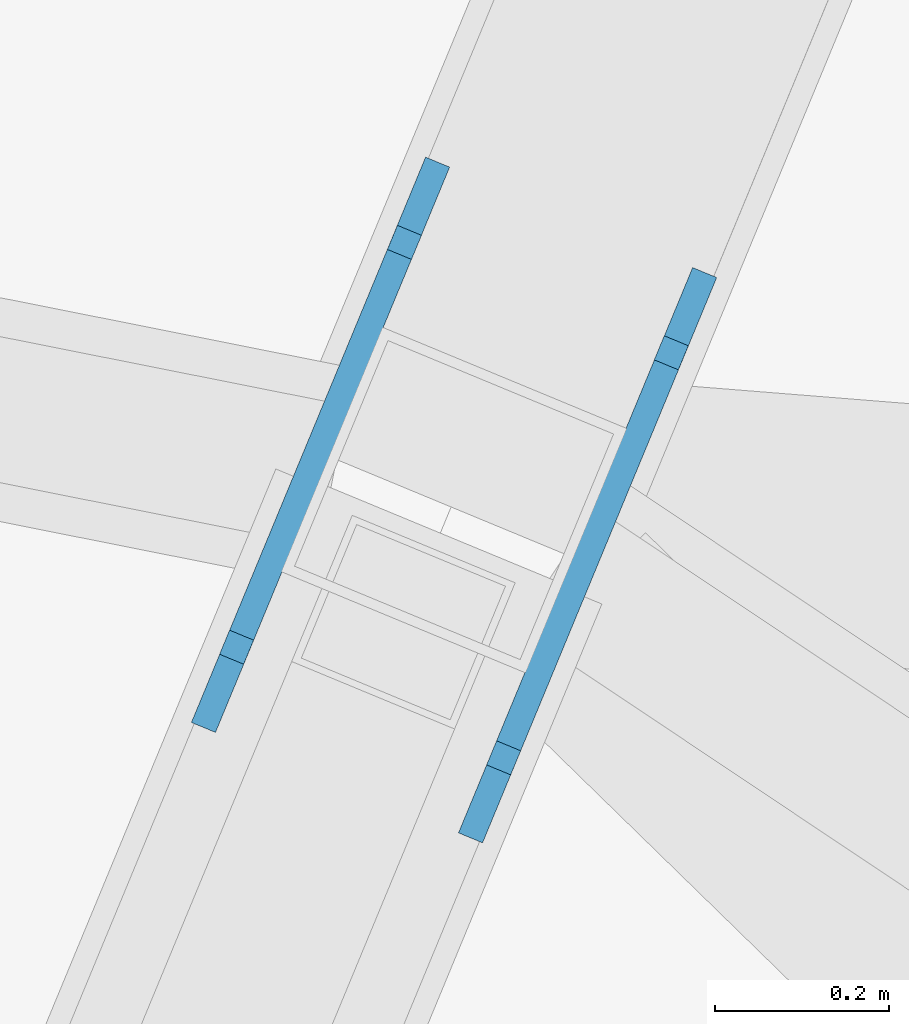
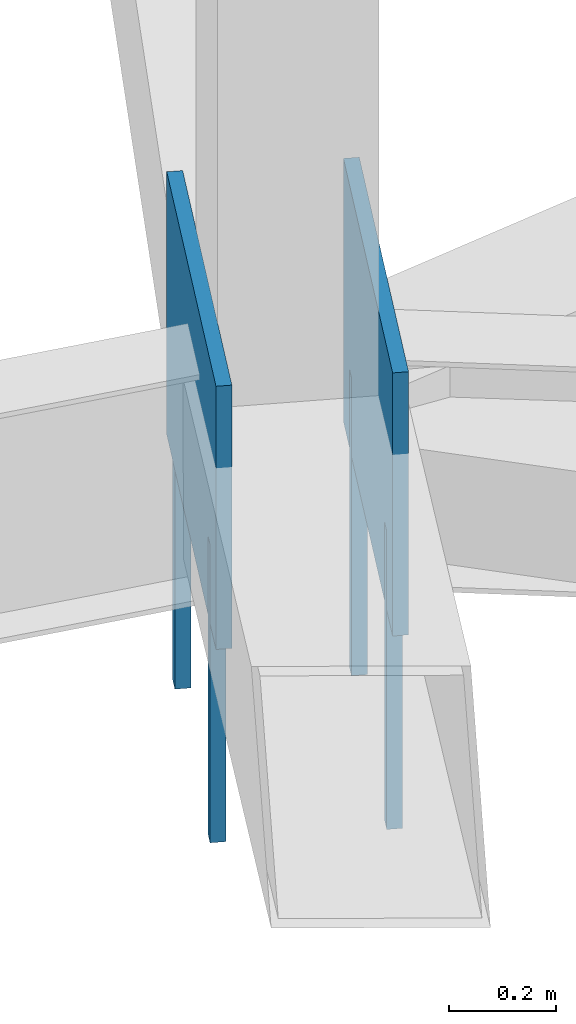
# One storey, part 266 of 278: 4 mechanical fasteners, 2 discrete accessories.
"""IFC4 building model written with IfcOpenShell, lengths in metres."""

from ifc_helpers import new_model, si_unit, direction, frame, origin, origin_2d, place, context, subcontext, project, spatial, rectangle, extrude, material, layer, layer_set, type_object, element, save


model = new_model("IFC4")

# Units and contexts
model_context = context("Model", 3, precision=1e-05, world=origin(), true_north=direction((0.0, 1.0)))
body_context = subcontext(model_context, "Body", "Model", "MODEL_VIEW")
ifc_project = project(units=[si_unit("LENGTHUNIT", "METRE"), si_unit("AREAUNIT", "SQUARE_METRE"), si_unit("VOLUMEUNIT", "CUBIC_METRE"), si_unit("PLANEANGLEUNIT", "RADIAN"), si_unit("MASSUNIT", "GRAM", prefix="KILO")], contexts=[model_context])

# Site, building, storey
site_placement = place(None, origin())
site = spatial("IfcSite", under=ifc_project, at=site_placement, CompositionType="ELEMENT")
building_placement = place(site_placement, origin())
building = spatial("IfcBuilding", under=site, at=building_placement, Name="Ogive Plaza Stadium", CompositionType="ELEMENT")
storey_placement = place(building_placement, frame((0.0, 0.0, 29.0)))
storey = spatial("IfcBuildingStorey", under=building, at=storey_placement, Name="Roof", CompositionType="ELEMENT", Elevation=29.0)

# Mechanical fasteners
ifc_material_1 = material(Name="Steel ASTM A992 Grade 50", Category="steel")
mechanical_fastener_type = type_object("IfcMechanicalFastenerType", Name="Anchor bolt M30 x 600", PredefinedType="ANCHORBOLT", material=ifc_material_1)
for number, where, z_axis, x_axis, name in (
    (1, (49.250244140625, 89.751953125, -0.5), (0.0, 0.0, 1.0), (0.382683432365, 0.923879532511, 0.0), "ANCHOR BOLT 38 BP 1.1"),
    (2, (49.056884765625, 89.28564453125, -0.5), (0.0, 0.0, 1.0), (0.382683432365, 0.923879532511, 0.0), "ANCHOR BOLT 38 BP 1.2"),
    (3, (49.5576171875, 89.624755859375, -0.5), (0.0, 0.0, 1.0), (0.382683432365, 0.923879532511, 0.0), "ANCHOR BOLT 38 BP 2.1"),
    (4, (49.364501953125, 89.158203125, -0.5), (0.0, 0.0, 1.0), (0.382683432365, 0.923879532511, 0.0), "ANCHOR BOLT 38 BP 2.2"),
):
    element("IfcMechanicalFastener", number, at=place(storey_placement, frame(where, z_axis=z_axis, x_axis=x_axis)), inside=storey, type_object=mechanical_fastener_type, Name=name, PredefinedType="ANCHORBOLT", context=body_context, shape_type="SweptSolid", body=[
        extrude(rectangle(XDim=0.030029296875, YDim=0.030029296875, at=origin_2d()), origin(), (0.0, 0.0, 1.0), 0.679931640625),
    ])

# Discrete accessories
ifc_material_2 = material(Name="Steel ASTM A992 Grade 50", Category="steel")
ifc_layer = layer(ifc_material_2, 0.030029296875)
ifc_layer_set = layer_set([ifc_layer], Name="Steel ASTM A992 Grade 50")
discrete_accessory_type = type_object("IfcDiscreteAccessoryType", Name="Truss root foot cleat plate 30", PredefinedType="ANCHORPLATE", material=ifc_layer_set)
for number, where, z_axis, x_axis, name in (
    (5, (49.153564453125, 89.518798828125, 0.0), (0.0, 0.0, 1.0), (0.382683432365, 0.923879532511, 0.0), "TRUSS ROOT FOOT CLEAT PLATE 38 1"),
    (6, (49.461181640625, 89.3916015625, 0.0), (0.0, 0.0, 1.0), (0.382683432365, 0.923879532511, 0.0), "TRUSS ROOT FOOT CLEAT PLATE 38 2"),
):
    element("IfcDiscreteAccessory", number, at=place(storey_placement, frame(where, z_axis=z_axis, x_axis=x_axis)), inside=storey, type_object=discrete_accessory_type, Name=name, PredefinedType="ANCHORPLATE", context=body_context, shape_type="SweptSolid", body=[
        extrude(rectangle(XDim=0.704833984375, YDim=0.030029296875, at=origin_2d()), origin(), (0.0, 0.0, 1.0), 0.60009765625),
    ])

save(model, "model.ifc")
